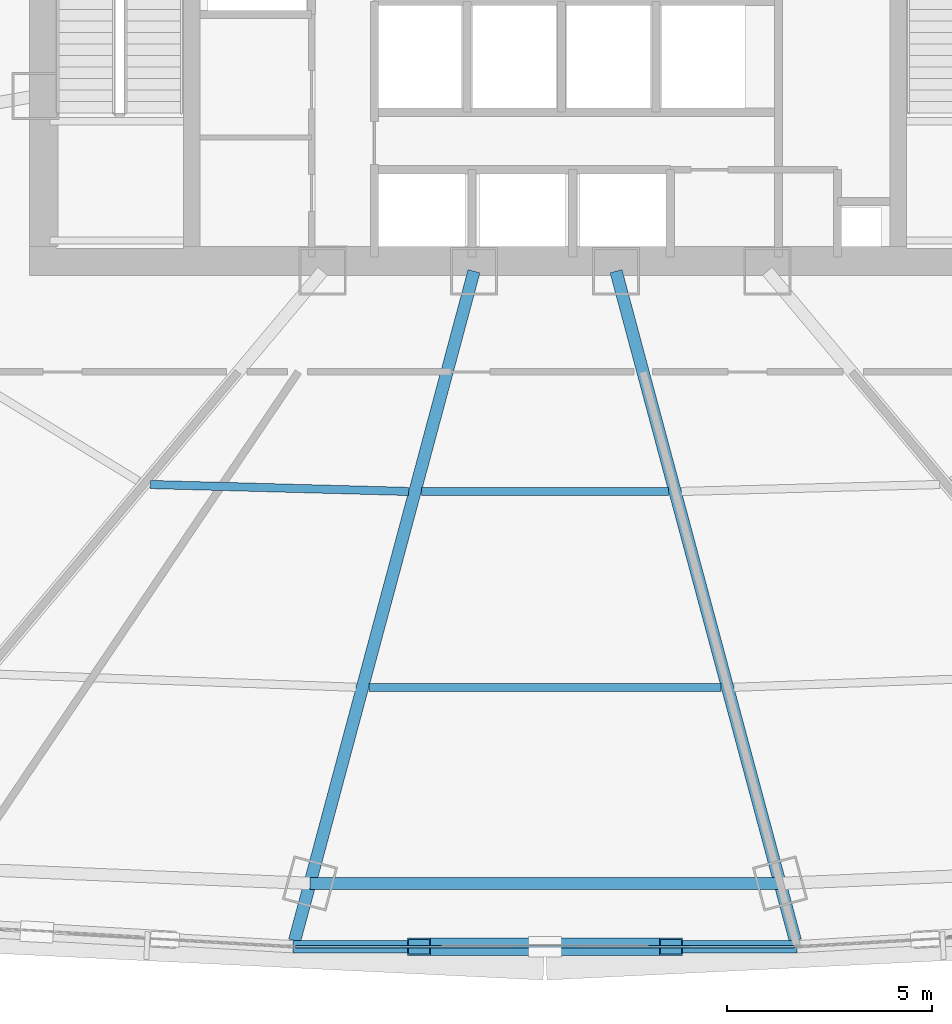
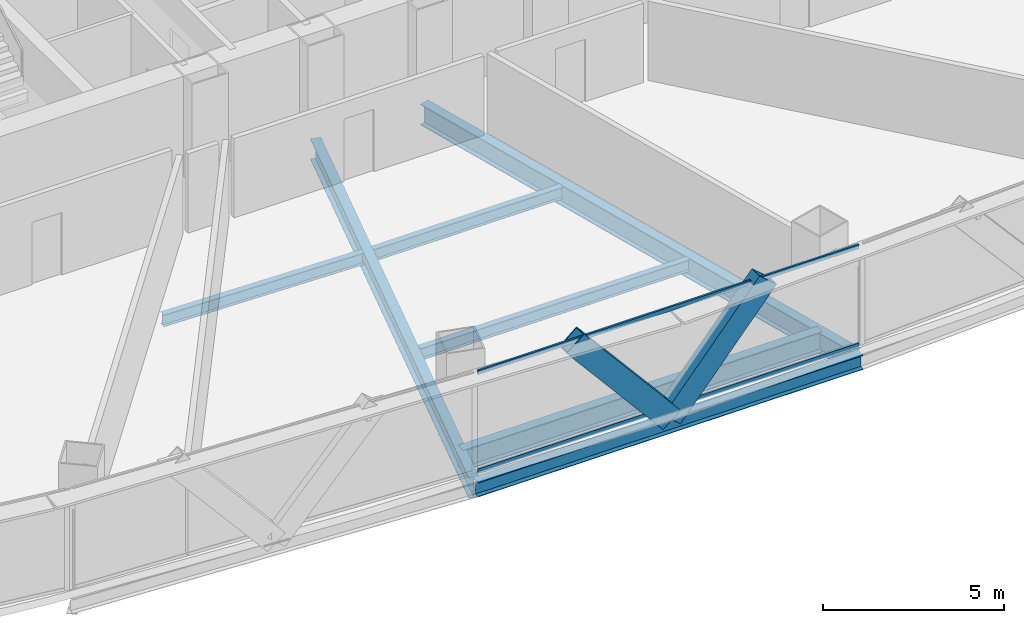
# One storey, part 9 of 42: 7 beams, 4 members, 1 element without a shape of its own.
"""IFC4 building model written with IfcOpenShell, lengths in metres."""

from ifc_helpers import new_model, si_unit, direction, frame, origin, origin_2d, place, context, subcontext, project, spatial, hollow_rectangle, i_section, extrude, source, transform, mapped, material, layer, layer_set, material_profile, profile_set, type_object, element, aggregate, save


model = new_model("IFC4")

# Units and contexts
model_context = context("Model", 3, precision=1e-05, world=origin(), true_north=direction((0.0, 1.0)))
body_context = subcontext(model_context, "Body", "Model", "MODEL_VIEW")
ifc_project = project(units=[si_unit("LENGTHUNIT", "METRE"), si_unit("AREAUNIT", "SQUARE_METRE"), si_unit("VOLUMEUNIT", "CUBIC_METRE"), si_unit("PLANEANGLEUNIT", "RADIAN"), si_unit("MASSUNIT", "GRAM", prefix="KILO"), si_unit("THERMODYNAMICTEMPERATUREUNIT", "KELVIN"), si_unit("POWERUNIT", "WATT")], contexts=[model_context])

# Site, building, storey
site_placement = place(None, origin())
site = spatial("IfcSite", under=ifc_project, at=site_placement, CompositionType="ELEMENT")
building_placement = place(site_placement, origin())
building = spatial("IfcBuilding", under=site, at=building_placement, Name="Yunzhuo Pagoda Commons", CompositionType="ELEMENT")
storey_placement = place(building_placement, frame((0.0, 0.0, 41.2900390625)))
storey = spatial("IfcBuildingStorey", under=building, at=storey_placement, Name="L10", CompositionType="ELEMENT", Elevation=41.2900390625)

# Beams
ifc_material_1 = material(Name="Structural steel Q355B", Category="steel")
ifc_material_profile_1 = material_profile(ifc_material_1, i_section(OverallWidth=0.300048828125, OverallDepth=0.699951171875, WebThickness=0.012939453125, FlangeThickness=0.02392578125, at=origin_2d()), Name="Structural steel Q355B")
ifc_profile_set_1 = profile_set([ifc_material_profile_1], Name="Structural steel Q355B")
beam_type_1 = type_object("IfcBeamType", Name="B-RG1 Beam HN 700x300x13x24", PredefinedType="BEAM", material=ifc_profile_set_1)
shared_shape_1 = source(origin(), body_context, "Body", "SweptSolid", [
    extrude(i_section(OverallWidth=0.300048828125, OverallDepth=0.699951171875, WebThickness=0.012939453125, FlangeThickness=0.02392578125, at=origin_2d()), origin(), (0.0, 0.0, 1.0), 11.4404296875),
])
beam_1_placement = place(storey_placement, frame((42.27978515625, 12.35205078125, -0.610107421875), z_axis=(1.0, 0.0, 0.0), x_axis=(0.0, 1.0, 0.0)))
element("IfcBeam", 1, at=beam_1_placement, inside=storey, type_object=beam_type_1, Name="L10 column-ring beam 2", PredefinedType="BEAM", context=body_context, shape_type="MappedRepresentation", body=[
    mapped(shared_shape_1, transform((0.0, 0.0, 0.0), scale=1.0)),
])
ifc_material_profile_2 = material_profile(ifc_material_1, i_section(OverallWidth=0.199951171875, OverallDepth=0.39990234375, WebThickness=0.008056640625, FlangeThickness=0.012939453125, at=origin_2d()), Name="Structural steel Q355B")
ifc_profile_set_2 = profile_set([ifc_material_profile_2], Name="Structural steel Q355B")
beam_type_2 = type_object("IfcBeamType", Name="B-JS1 Joist HN 400x200x8x13", PredefinedType="JOIST", material=ifc_profile_set_2)
shared_shape_2 = source(origin(), body_context, "Body", "SweptSolid", [
    extrude(i_section(OverallWidth=0.199951171875, OverallDepth=0.39990234375, WebThickness=0.008056640625, FlangeThickness=0.012939453125, at=origin_2d()), origin(), (0.0, 0.0, 1.0), 6.28271484375),
])
beam_2_placement = place(storey_placement, frame((38.395263671875, 22.06005859375, -0.4599609375), z_axis=(0.999638393847, -0.026890175648, 0.0), x_axis=(0.026890175648, 0.999638393847, 0.0)))
element("IfcBeam", 2, at=beam_2_placement, inside=storey, type_object=beam_type_2, Name="L10 composite ring joist 1.1", PredefinedType="JOIST", context=body_context, shape_type="MappedRepresentation", body=[
    mapped(shared_shape_2, transform((0.0, 0.0, 0.0), scale=1.0)),
])
shared_shape_3 = source(origin(), body_context, "Body", "SweptSolid", [
    extrude(i_section(OverallWidth=0.199951171875, OverallDepth=0.39990234375, WebThickness=0.008056640625, FlangeThickness=0.012939453125, at=origin_2d()), origin(), (0.0, 0.0, 1.0), 6.0126953125),
])
beam_3_placement = place(storey_placement, frame((44.99365234375, 21.88671875, -0.4599609375), z_axis=(1.0, 0.0, 0.0), x_axis=(0.0, 1.0, 0.0)))
element("IfcBeam", 3, at=beam_3_placement, inside=storey, type_object=beam_type_2, Name="L10 composite ring joist 1.2", PredefinedType="JOIST", context=body_context, shape_type="MappedRepresentation", body=[
    mapped(shared_shape_3, transform((0.0, 0.0, 0.0), scale=1.0)),
])
shared_shape_4 = source(origin(), body_context, "Body", "SweptSolid", [
    extrude(i_section(OverallWidth=0.199951171875, OverallDepth=0.39990234375, WebThickness=0.008056640625, FlangeThickness=0.012939453125, at=origin_2d()), origin(), (0.0, 0.0, 1.0), 8.5673828125),
])
beam_4_placement = place(storey_placement, frame((43.71630859375, 17.119384765625, -0.4599609375), z_axis=(1.0, 0.0, 0.0), x_axis=(0.0, 1.0, 0.0)))
element("IfcBeam", 4, at=beam_4_placement, inside=storey, type_object=beam_type_2, Name="L10 composite ring joist 2.2", PredefinedType="JOIST", context=body_context, shape_type="MappedRepresentation", body=[
    mapped(shared_shape_4, transform((0.0, 0.0, 0.0), scale=1.0)),
])
shared_shape_5 = source(origin(), body_context, "Body", "SweptSolid", [
    extrude(i_section(OverallWidth=0.300048828125, OverallDepth=0.699951171875, WebThickness=0.012939453125, FlangeThickness=0.02392578125, at=origin_2d()), origin(), (0.0, 0.0, 1.0), 16.863525390625),
])
for number, where, z_axis, x_axis, name in (
    (5, (41.906982421875, 10.961181640625, -0.610107421875), (0.258841978686, 0.965919680962, 0.0), (-0.965919680962, 0.258841978686, 0.0), "L10 radial floor girder F1C2"),
    (6, (54.093017578125, 10.961181640625, -0.610107421875), (-0.258814963473, 0.965926919949, 0.0), (-0.965926919949, -0.258814963473, 0.0), "L10 radial floor girder F1C3"),
):
    element("IfcBeam", number, at=place(storey_placement, frame(where, z_axis=z_axis, x_axis=x_axis)), inside=storey, type_object=beam_type_1, Name=name, PredefinedType="BEAM", context=body_context, shape_type="MappedRepresentation", body=[
        mapped(shared_shape_5, transform((0.0, 0.0, 0.0), scale=1.0)),
    ])
ifc_material_profile_3 = material_profile(ifc_material_1, i_section(OverallWidth=0.300048828125, OverallDepth=0.488037109375, WebThickness=0.010986328125, FlangeThickness=0.01806640625, at=origin_2d()), Name="Structural steel Q355B")
ifc_profile_set_3 = profile_set([ifc_material_profile_3], Name="Structural steel Q355B")
beam_type_3 = type_object("IfcBeamType", Name="B-SP1 Beam HM 488x300x11x18", PredefinedType="BEAM", material=ifc_profile_set_3)
shared_shape_6 = source(origin(), body_context, "Body", "SweptSolid", [
    extrude(i_section(OverallWidth=0.300048828125, OverallDepth=0.488037109375, WebThickness=0.010986328125, FlangeThickness=0.01806640625, at=origin_2d()), origin(), (0.0, 0.0, 1.0), 12.26611328125),
])
beam_5_placement = place(storey_placement, frame((41.866943359375, 10.811279296875, -0.504150390625), z_axis=(1.0, 0.0, 0.0), x_axis=(0.0, 1.0, 0.0)))
element("IfcBeam", 7, at=beam_5_placement, inside=storey, type_object=beam_type_3, Name="L10 facade edge spandrel beam F1.2", PredefinedType="BEAM", context=body_context, shape_type="MappedRepresentation", body=[
    mapped(shared_shape_6, transform((0.0, 0.0, 0.0), scale=1.0)),
])

# Members
ifc_material_2 = material(Name="Structural steel Q420B", Category="steel")
ifc_material_profile_4 = material_profile(ifc_material_2, hollow_rectangle(XDim=0.419921875, YDim=0.719970703125, WallThickness=0.028076171875, at=origin_2d()), Name="Structural steel Q420B")
ifc_profile_set_4 = profile_set([ifc_material_profile_4], Name="Structural steel Q420B")
member_type_1 = type_object("IfcMemberType", Name="M-DL1 Brace BOX 720x420x28", PredefinedType="BRACE", material=ifc_profile_set_4)
shared_shape_7 = source(origin(), body_context, "Body", "SweptSolid", [
    extrude(hollow_rectangle(XDim=0.419921875, YDim=0.719970703125, WallThickness=0.028076171875, at=origin_2d()), origin(), (0.0, 0.0, 1.0), 4.751708984375),
])
for number, where, z_axis, x_axis, name in (
    (8, (48.0, 10.811279296875, -0.260009765625), (-0.645324769297, 0.0, 0.763908333592), (0.0, -1.0, 0.0), "L10 facade diamond brace F1.2L"),
    (9, (48.0, 10.811279296875, -0.260009765625), (0.645324769297, 0.0, 0.763908333592), (0.0, 1.0, 0.0), "L10 facade diamond brace F1.2R"),
):
    element("IfcMember", number, at=place(storey_placement, frame(where, z_axis=z_axis, x_axis=x_axis)), inside=storey, type_object=member_type_1, Name=name, PredefinedType="BRACE", context=body_context, shape_type="MappedRepresentation", body=[
        mapped(shared_shape_7, transform((0.0, 0.0, 0.0), scale=1.0)),
    ])

# Curtain wall, members
ifc_material_3 = material(Name="Anodized aluminium 6063-T6", Category="aluminium")
ifc_layer = layer(ifc_material_3, 0.1650390625)
ifc_layer_set = layer_set([ifc_layer], Name="Anodized aluminium 6063-T6")
curtain_wall_type = type_object("IfcCurtainWallType", Name="CW-LOW Low-Zone Ribbon Curtain Wall", PredefinedType="NOTDEFINED", material=ifc_layer_set)
curtain_wall_placement = place(storey_placement, origin())
curtain_wall = element("IfcCurtainWall", 10, at=curtain_wall_placement, inside=storey, type_object=curtain_wall_type, Name="L10 curtain wall CW-L10-F1B3", PredefinedType="NOTDEFINED")
ifc_material_profile_5 = material_profile(ifc_material_3, hollow_rectangle(XDim=0.06005859375, YDim=0.139892578125, WallThickness=0.00341796875, at=origin_2d()), Name="Anodized aluminium 6063-T6")
ifc_profile_set_5 = profile_set([ifc_material_profile_5], Name="Anodized aluminium 6063-T6")
member_type_2 = type_object("IfcMemberType", Name="CW-LOW-T Transom RHS 140x60x3.5", PredefinedType="USERDEFINED", material=ifc_profile_set_5)
shared_shape_8 = source(origin(), body_context, "Body", "SweptSolid", [
    extrude(hollow_rectangle(XDim=0.06005859375, YDim=0.139892578125, WallThickness=0.00341796875, at=origin_2d()), origin(), (0.0, 0.0, 1.0), 12.13623046875),
])
member_1_placement = place(storey_placement, frame((41.931884765625, 10.811279296875, 0.030029296875), z_axis=(1.0, 0.0, 0.0), x_axis=(0.0, 1.0, 0.0)))
member_1 = element("IfcMember", 11, at=member_1_placement, type_object=member_type_2, Name="CW transom 1.1", ObjectType="TRANSOM", PredefinedType="USERDEFINED", context=body_context, shape_type="MappedRepresentation", body=[
    mapped(shared_shape_8, transform((0.0, 0.0, 0.0), scale=1.0)),
])
member_2_placement = place(storey_placement, frame((41.931884765625, 10.811279296875, 3.33984375), z_axis=(1.0, 0.0, 0.0), x_axis=(0.0, 1.0, 0.0)))
member_2 = element("IfcMember", 12, at=member_2_placement, type_object=member_type_2, Name="CW transom 1.2", ObjectType="TRANSOM", PredefinedType="USERDEFINED", context=body_context, shape_type="MappedRepresentation", body=[
    mapped(shared_shape_8, transform((0.0, 0.0, 0.0), scale=1.0)),
])
aggregate(curtain_wall, [member_1, member_2])

save(model, "model.ifc")
